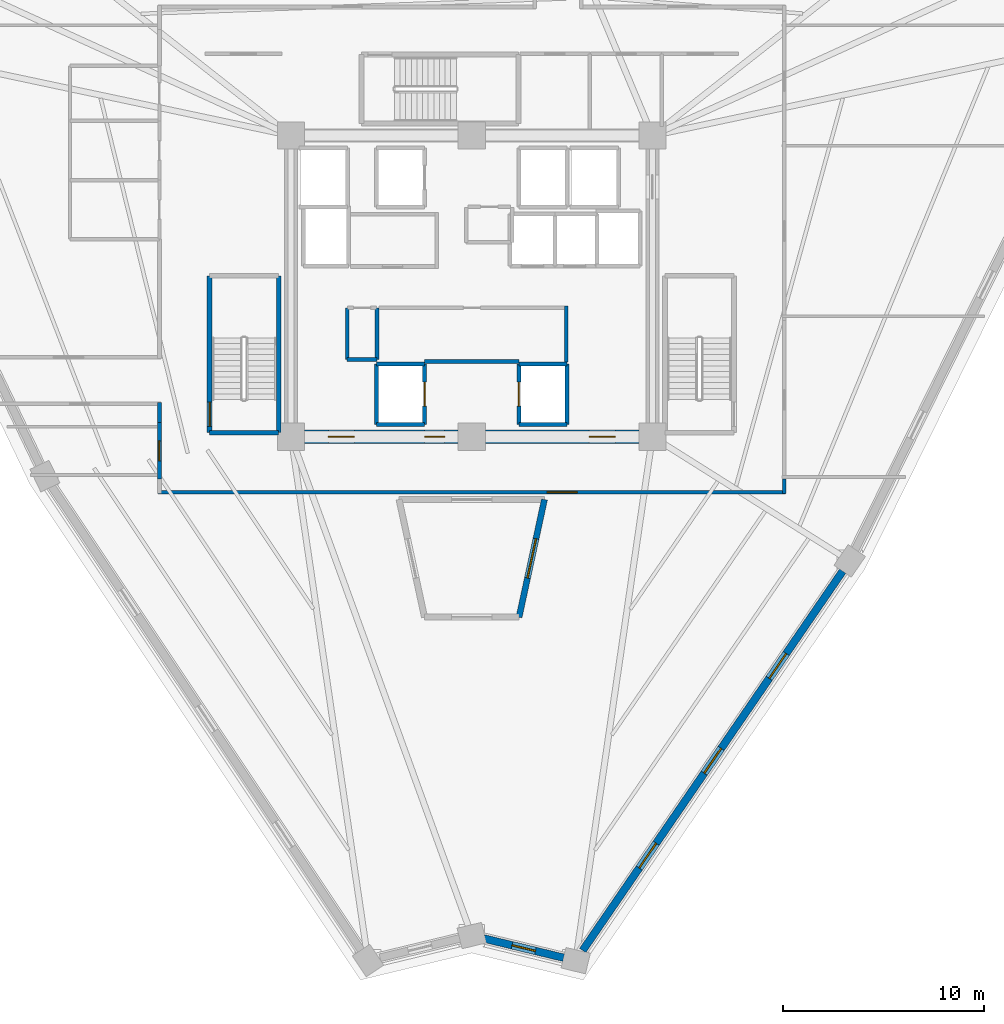
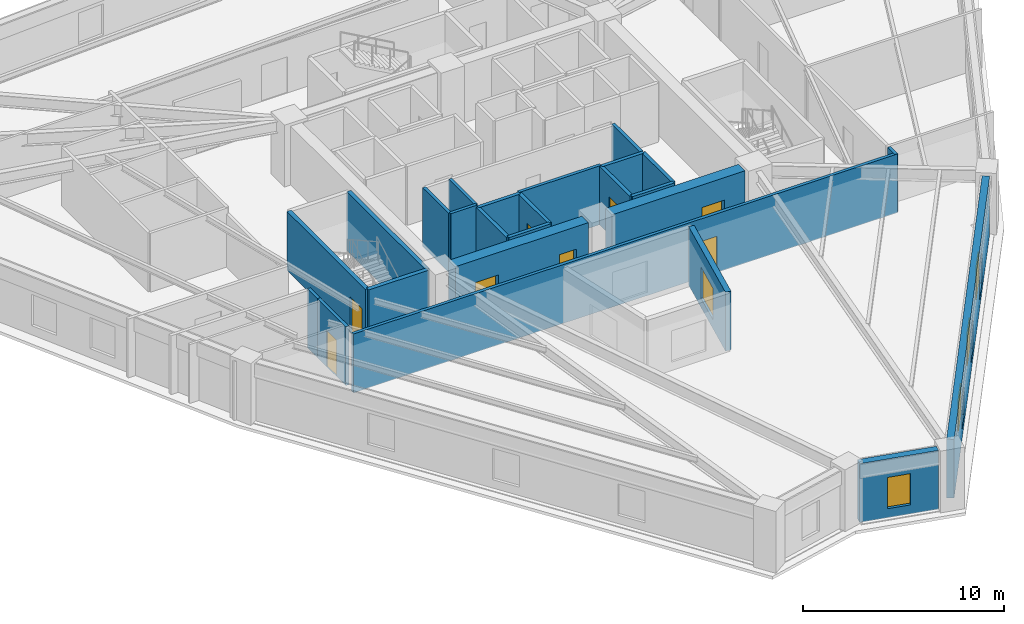
# One storey, part 3 of 9: 25 walls, 8 doors, 5 windows, 13 openings.
"""IFC4 building model written with IfcOpenShell, lengths in metres."""

from ifc_helpers import new_model, si_unit, direction, frame, frame_2d, origin, place, context, subcontext, project, spatial, rectangle, extrude, source, transform, mapped, material, layer, layer_set, type_object, element, fill, save


model = new_model("IFC4")

# Units and contexts
model_context = context("Model", 3, precision=1e-05, world=origin(), true_north=direction((0.0, 1.0)))
body_context = subcontext(model_context, "Body", "Model", "MODEL_VIEW")
ifc_project = project(units=[si_unit("LENGTHUNIT", "METRE"), si_unit("AREAUNIT", "SQUARE_METRE"), si_unit("VOLUMEUNIT", "CUBIC_METRE"), si_unit("PLANEANGLEUNIT", "RADIAN"), si_unit("MASSUNIT", "GRAM", prefix="KILO")], contexts=[model_context])

# Site, building, storey
site_placement = place(None, origin())
site = spatial("IfcSite", under=ifc_project, at=site_placement, CompositionType="ELEMENT")
building_placement = place(site_placement, origin())
building = spatial("IfcBuilding", under=site, at=building_placement, Name="Liaohun Quay Tower", CompositionType="ELEMENT")
storey_placement = place(building_placement, frame((0.0, 0.0, 258.75)))
storey = spatial("IfcBuildingStorey", under=building, at=storey_placement, Name="L67", CompositionType="ELEMENT", Elevation=258.75)

# Wall, opening, window
ifc_material_1 = material(Name="Concrete C50", Category="concrete")
ifc_layer_1 = layer(ifc_material_1, 0.300048828125, Name="Concrete C50", Category="concrete")
ifc_layer_set_1 = layer_set([ifc_layer_1], Name="Concrete C50")
wall_type_1 = type_object("IfcWallType", Name="WAL-ATR-300", PredefinedType="SOLIDWALL", material=ifc_layer_set_1)
wall_1_placement = place(storey_placement, frame((63.62109375, 43.3701171875, 0.0), z_axis=(0.0, 0.0, 1.0), x_axis=(-0.211271830319, -0.977427344468, 0.0)))
wall_1 = element("IfcWall", 1, at=wall_1_placement, inside=storey, type_object=wall_type_1, Name="L67 Atrium Fire Compartment Wall 3", PredefinedType="SOLIDWALL", context=body_context, shape_type="SweptSolid", body=[
    extrude(rectangle(XDim=5.99755859375, YDim=0.300048828125, at=frame_2d((2.998779296875, 0.0))), origin(), (0.0, 0.0, 1.0), 3.570068359375),
])
shared_shape_1 = source(origin(), body_context, "Body", "SweptSolid", [
    extrude(rectangle(XDim=2.0, YDim=1.89990234375, at=frame_2d((1.0, 0.949951171875))), frame((0.0, 0.159912109375, 0.0), z_axis=(0.0, -1.0, 0.0), x_axis=(1.0, 0.0, 0.0)), (0.0, 0.0, 1.0), 0.320068359375),
])
opening_1_placement = place(wall_1_placement, frame((1.9990234375, 0.0, 0.550048828125)))
opening_1 = element("IfcOpeningElement", 2, at=opening_1_placement, cuts=wall_1, Name="Opening W07", PredefinedType="OPENING", context=body_context, shape_type="MappedRepresentation", body=[
    mapped(shared_shape_1, transform((0.0, 0.0, 0.0), x_axis=(1.0, 0.0, 0.0), y_axis=(0.0, 1.0, 0.0), z_axis=(0.0, 0.0, 1.0), scale=1.0)),
])
ifc_material_2 = material(Name="Class A 180-min fire-resistant insulated glazing", Category="glass")
window_type_1 = type_object("IfcWindowType", Name="WIN-ATR-FIR", PartitioningType="DOUBLE_PANEL_VERTICAL", PredefinedType="WINDOW", material=ifc_material_2)
shared_shape_2 = source(origin(), body_context, "Body", "SweptSolid", [
    extrude(rectangle(XDim=2.0, YDim=1.89990234375, at=frame_2d((1.0, 0.949951171875))), frame((0.0, 0.030029296875, 0.0), z_axis=(0.0, -1.0, 0.0), x_axis=(1.0, 0.0, 0.0)), (0.0, 0.0, 1.0), 0.06005859375),
])
window_1_placement = place(opening_1_placement, origin())
window_1 = element("IfcWindow", 3, at=window_1_placement, inside=storey, type_object=window_type_1, Name="L67 Atrium Fire-Resistant Glazing W07-3", OverallHeight=1.89990234375, OverallWidth=2.0, PartitioningType="DOUBLE_PANEL_VERTICAL", PredefinedType="WINDOW", context=body_context, shape_type="MappedRepresentation", body=[
    mapped(shared_shape_2, transform((0.0, 0.0, 0.0), x_axis=(1.0, 0.0, 0.0), y_axis=(0.0, 1.0, 0.0), z_axis=(0.0, 0.0, 1.0), scale=1.0)),
])
fill(opening_1, window_1)

# Wall, opening, door
ifc_material_3 = material(Name="Concrete C55", Category="concrete")
ifc_layer_2 = layer(ifc_material_3, 0.64990234375, Name="Concrete C55", Category="concrete")
ifc_layer_set_2 = layer_set([ifc_layer_2], Name="Concrete C55")
wall_type_2 = type_object("IfcWallType", Name="WAL-COR-Z3", PredefinedType="SHEAR", material=ifc_layer_set_2)
wall_2_placement = place(storey_placement, frame((68.324951171875, 46.5, 0.0), z_axis=(0.0, 0.0, 1.0), x_axis=(-1.0, 0.0, 0.0)))
wall_2 = element("IfcWall", 4, at=wall_2_placement, inside=storey, type_object=wall_type_2, Name="L67 Central Core Shear Wall S-E", PredefinedType="SHEAR", context=body_context, shape_type="SweptSolid", body=[
    extrude(rectangle(XDim=7.64990234375, YDim=0.64990234375, at=frame_2d((3.824951171875, 0.0))), origin(), (0.0, 0.0, 1.0), 3.570068359375),
])
shared_shape_3 = source(origin(), body_context, "Body", "SweptSolid", [
    extrude(rectangle(XDim=1.300048828125, YDim=2.199951171875, at=frame_2d((0.64990234375, 1.10009765625))), frame((0.0, 0.3349609375, 0.0), z_axis=(0.0, -1.0, 0.0), x_axis=(1.0, 0.0, 0.0)), (0.0, 0.0, 1.0), 0.669921875),
])
opening_2_placement = place(wall_2_placement, frame((1.175048828125, 0.0, 0.0)))
opening_2 = element("IfcOpeningElement", 5, at=opening_2_placement, cuts=wall_2, Name="Opening FD1", PredefinedType="OPENING", context=body_context, shape_type="MappedRepresentation", body=[
    mapped(shared_shape_3, transform((0.0, 0.0, 0.0), x_axis=(1.0, 0.0, 0.0), y_axis=(0.0, 1.0, 0.0), z_axis=(0.0, 0.0, 1.0), scale=1.0)),
])
ifc_material_4 = material(Name="Galvanised steel smokeproof fire door", Category="steel")
door_type_1 = type_object("IfcDoorType", Name="DOR-FFL-1300", OperationType="NOTDEFINED", PredefinedType="DOOR", material=ifc_material_4)
shared_shape_4 = source(origin(), body_context, "Body", "SweptSolid", [
    extrude(rectangle(XDim=1.300048828125, YDim=2.199951171875, at=frame_2d((0.64990234375, 1.10009765625))), frame((0.0, 0.02490234375, 0.0), z_axis=(0.0, -1.0, 0.0), x_axis=(1.0, 0.0, 0.0)), (0.0, 0.0, 1.0), 0.050048828125),
])
door_1_placement = place(opening_2_placement, origin())
door_1 = element("IfcDoor", 6, at=door_1_placement, inside=storey, type_object=door_type_1, Name="L67 East Core Lift Lobby Smokeproof Door", OperationType="SINGLE_SWING_LEFT", OverallHeight=2.199951171875, OverallWidth=1.300048828125, PredefinedType="DOOR", context=body_context, shape_type="MappedRepresentation", body=[
    mapped(shared_shape_4, transform((0.0, 0.0, 0.0), x_axis=(1.0, 0.0, 0.0), y_axis=(0.0, 1.0, 0.0), z_axis=(0.0, 0.0, 1.0), scale=1.0)),
])
fill(opening_2, door_1)

# Wall, openings, doors
wall_3_placement = place(storey_placement, frame((59.324951171875, 46.5, 0.0), z_axis=(0.0, 0.0, 1.0), x_axis=(-1.0, 0.0, 0.0)))
wall_3 = element("IfcWall", 7, at=wall_3_placement, inside=storey, type_object=wall_type_2, Name="L67 Central Core Shear Wall S-W", PredefinedType="SHEAR", context=body_context, shape_type="SweptSolid", body=[
    extrude(rectangle(XDim=7.64990234375, YDim=0.64990234375, at=frame_2d((3.824951171875, 0.0))), origin(), (0.0, 0.0, 1.0), 3.570068359375),
])
opening_3_placement = place(wall_3_placement, frame((5.175048828125, 0.0, 0.0)))
opening_3 = element("IfcOpeningElement", 8, at=opening_3_placement, cuts=wall_3, Name="Opening FD1", PredefinedType="OPENING", context=body_context, shape_type="MappedRepresentation", body=[
    mapped(shared_shape_3, transform((0.0, 0.0, 0.0), x_axis=(1.0, 0.0, 0.0), y_axis=(0.0, 1.0, 0.0), z_axis=(0.0, 0.0, 1.0), scale=1.0)),
])
shared_shape_5 = source(origin(), body_context, "Body", "SweptSolid", [
    extrude(rectangle(XDim=1.0, YDim=2.199951171875, at=frame_2d((0.5, 1.10009765625))), frame((0.0, 0.3349609375, 0.0), z_axis=(0.0, -1.0, 0.0), x_axis=(1.0, 0.0, 0.0)), (0.0, 0.0, 1.0), 0.669921875),
])
opening_4_placement = place(wall_3_placement, frame((0.675048828125, 0.0, 0.0)))
opening_4 = element("IfcOpeningElement", 9, at=opening_4_placement, cuts=wall_3, Name="Opening FD2", PredefinedType="OPENING", context=body_context, shape_type="MappedRepresentation", body=[
    mapped(shared_shape_5, transform((0.0, 0.0, 0.0), x_axis=(1.0, 0.0, 0.0), y_axis=(0.0, 1.0, 0.0), z_axis=(0.0, 0.0, 1.0), scale=1.0)),
])
door_2_placement = place(opening_3_placement, origin())
door_2 = element("IfcDoor", 10, at=door_2_placement, inside=storey, type_object=door_type_1, Name="L67 West Core Lift Lobby Smokeproof Door", OperationType="SINGLE_SWING_RIGHT", OverallHeight=2.199951171875, OverallWidth=1.300048828125, PredefinedType="DOOR", context=body_context, shape_type="MappedRepresentation", body=[
    mapped(shared_shape_4, transform((0.0, 0.0, 0.0), x_axis=(1.0, 0.0, 0.0), y_axis=(0.0, 1.0, 0.0), z_axis=(0.0, 0.0, 1.0), scale=1.0)),
])
fill(opening_3, door_2)
ifc_material_5 = material(Name="Galvanised steel smokeproof lobby fire door", Category="steel")
door_type_2 = type_object("IfcDoorType", Name="DOR-FFL-1000", OperationType="NOTDEFINED", PredefinedType="DOOR", material=ifc_material_5)
shared_shape_6 = source(origin(), body_context, "Body", "SweptSolid", [
    extrude(rectangle(XDim=1.0, YDim=2.199951171875, at=frame_2d((0.5, 1.10009765625))), frame((0.0, 0.02490234375, 0.0), z_axis=(0.0, -1.0, 0.0), x_axis=(1.0, 0.0, 0.0)), (0.0, 0.0, 1.0), 0.050048828125),
])
door_3_placement = place(opening_4_placement, origin())
door_3 = element("IfcDoor", 11, at=door_3_placement, inside=storey, type_object=door_type_2, Name="L67 South Firefighting Lobby Smokeproof Door", OperationType="SINGLE_SWING_LEFT", OverallHeight=2.199951171875, OverallWidth=1.0, PredefinedType="DOOR", context=body_context, shape_type="MappedRepresentation", body=[
    mapped(shared_shape_6, transform((0.0, 0.0, 0.0), x_axis=(1.0, 0.0, 0.0), y_axis=(0.0, 1.0, 0.0), z_axis=(0.0, 0.0, 1.0), scale=1.0)),
])
fill(opening_4, door_3)

# Wall, opening, window
ifc_material_6 = material(Name="Precast concrete C50 insulated sandwich", Category="concrete")
ifc_layer_3 = layer(ifc_material_6, 0.3798828125, Name="Precast concrete C50 insulated sandwich", Category="concrete")
ifc_layer_set_3 = layer_set([ifc_layer_3], Name="Precast concrete C50 insulated sandwich")
wall_type_3 = type_object("IfcWallType", Name="WAL-EXT-Z34", PredefinedType="SOLIDWALL", material=ifc_layer_set_3)
wall_4_placement = place(storey_placement, frame((60.597900390625, 21.5048828125, 0.0), z_axis=(0.0, 0.0, 1.0), x_axis=(0.972030144739, -0.234856121314, 0.0)))
wall_4 = element("IfcWall", 12, at=wall_4_placement, inside=storey, type_object=wall_type_3, Name="L67 Brutalist Precast Pier Wall 01", PredefinedType="SOLIDWALL", context=body_context, shape_type="SweptSolid", body=[
    extrude(rectangle(XDim=4.095703125, YDim=0.3798828125, at=frame_2d((2.0478515625, 0.0))), origin(), (0.0, 0.0, 1.0), 3.570068359375),
])
shared_shape_7 = source(origin(), body_context, "Body", "SweptSolid", [
    extrude(rectangle(XDim=1.199951171875, YDim=1.89990234375, at=frame_2d((0.60009765625, 0.949951171875))), frame((0.0, 0.199951171875, 0.0), z_axis=(0.0, -1.0, 0.0), x_axis=(1.0, 0.0, 0.0)), (0.0, 0.0, 1.0), 0.39990234375),
])
opening_5_placement = place(wall_4_placement, frame((1.447998046875, 0.0, 0.550048828125)))
opening_5 = element("IfcOpeningElement", 13, at=opening_5_placement, cuts=wall_4, Name="Opening W05", PredefinedType="OPENING", context=body_context, shape_type="MappedRepresentation", body=[
    mapped(shared_shape_7, transform((0.0, 0.0, 0.0), x_axis=(1.0, 0.0, 0.0), y_axis=(0.0, 1.0, 0.0), z_axis=(0.0, 0.0, 1.0), scale=1.0)),
])
ifc_material_7 = material(Name="Triple Low-E corner notch glazing", Category="glass")
window_type_2 = type_object("IfcWindowType", Name="WIN-NOTCH", PartitioningType="SINGLE_PANEL", PredefinedType="WINDOW", material=ifc_material_7)
shared_shape_8 = source(origin(), body_context, "Body", "SweptSolid", [
    extrude(rectangle(XDim=1.199951171875, YDim=1.89990234375, at=frame_2d((0.60009765625, 0.949951171875))), frame((0.0, 0.030029296875, 0.0), z_axis=(0.0, -1.0, 0.0), x_axis=(1.0, 0.0, 0.0)), (0.0, 0.0, 1.0), 0.06005859375),
])
window_2_placement = place(opening_5_placement, origin())
window_2 = element("IfcWindow", 14, at=window_2_placement, inside=storey, type_object=window_type_2, Name="L67 Corner Notch Window W05-01", OverallHeight=1.89990234375, OverallWidth=1.199951171875, PartitioningType="SINGLE_PANEL", PredefinedType="WINDOW", context=body_context, shape_type="MappedRepresentation", body=[
    mapped(shared_shape_8, transform((0.0, 0.0, 0.0), x_axis=(1.0, 0.0, 0.0), y_axis=(0.0, 1.0, 0.0), z_axis=(0.0, 0.0, 1.0), scale=1.0)),
])
fill(opening_5, window_2)

# Wall, openings, windows
wall_5_placement = place(storey_placement, frame((65.52490234375, 20.906005859375, 0.0), z_axis=(0.0, 0.0, 1.0), x_axis=(0.565364357926, 0.824841283392, 0.0)))
wall_5 = element("IfcWall", 15, at=wall_5_placement, inside=storey, type_object=wall_type_3, Name="L67 Brutalist Precast Pier Wall 02", PredefinedType="SOLIDWALL", context=body_context, shape_type="SweptSolid", body=[
    extrude(rectangle(XDim=22.91455078125, YDim=0.3798828125, at=frame_2d((11.457275390625, 0.0))), origin(), (0.0, 0.0, 1.0), 3.570068359375),
])
shared_shape_9 = source(origin(), body_context, "Body", "SweptSolid", [
    extrude(rectangle(XDim=1.5, YDim=1.89990234375, at=frame_2d((0.75, 0.949951171875))), frame((0.0, 0.199951171875, 0.0), z_axis=(0.0, -1.0, 0.0), x_axis=(1.0, 0.0, 0.0)), (0.0, 0.0, 1.0), 0.39990234375),
])
opening_6_placement = place(wall_5_placement, frame((4.97900390625, 0.0, 0.550048828125)))
opening_6 = element("IfcOpeningElement", 16, at=opening_6_placement, cuts=wall_5, Name="Opening W03", PredefinedType="OPENING", context=body_context, shape_type="MappedRepresentation", body=[
    mapped(shared_shape_9, transform((0.0, 0.0, 0.0), x_axis=(1.0, 0.0, 0.0), y_axis=(0.0, 1.0, 0.0), z_axis=(0.0, 0.0, 1.0), scale=1.0)),
])
opening_7_placement = place(wall_5_placement, frame((10.70703125, 0.0, 0.550048828125)))
opening_7 = element("IfcOpeningElement", 17, at=opening_7_placement, cuts=wall_5, Name="Opening W03", PredefinedType="OPENING", context=body_context, shape_type="MappedRepresentation", body=[
    mapped(shared_shape_9, transform((0.0, 0.0, 0.0), x_axis=(1.0, 0.0, 0.0), y_axis=(0.0, 1.0, 0.0), z_axis=(0.0, 0.0, 1.0), scale=1.0)),
])
opening_8_placement = place(wall_5_placement, frame((16.43603515625, 0.0, 0.550048828125)))
opening_8 = element("IfcOpeningElement", 18, at=opening_8_placement, cuts=wall_5, Name="Opening W03", PredefinedType="OPENING", context=body_context, shape_type="MappedRepresentation", body=[
    mapped(shared_shape_9, transform((0.0, 0.0, 0.0), x_axis=(1.0, 0.0, 0.0), y_axis=(0.0, 1.0, 0.0), z_axis=(0.0, 0.0, 1.0), scale=1.0)),
])
ifc_material_8 = material(Name="Triple Low-E argon glazing in thermally broken aluminium", Category="aluminium")
window_type_3 = type_object("IfcWindowType", Name="WIN-PUN-Z3", PartitioningType="DOUBLE_PANEL_VERTICAL", PredefinedType="WINDOW", material=ifc_material_8)
shared_shape_10 = source(origin(), body_context, "Body", "SweptSolid", [
    extrude(rectangle(XDim=1.5, YDim=1.89990234375, at=frame_2d((0.75, 0.949951171875))), frame((0.0, 0.030029296875, 0.0), z_axis=(0.0, -1.0, 0.0), x_axis=(1.0, 0.0, 0.0)), (0.0, 0.0, 1.0), 0.06005859375),
])
window_3_placement = place(opening_6_placement, origin())
window_3 = element("IfcWindow", 19, at=window_3_placement, inside=storey, type_object=window_type_3, Name="L67 Recessed Cold-Climate Punched Window 02-1", OverallHeight=1.89990234375, OverallWidth=1.5, PartitioningType="DOUBLE_PANEL_VERTICAL", PredefinedType="WINDOW", context=body_context, shape_type="MappedRepresentation", body=[
    mapped(shared_shape_10, transform((0.0, 0.0, 0.0), x_axis=(1.0, 0.0, 0.0), y_axis=(0.0, 1.0, 0.0), z_axis=(0.0, 0.0, 1.0), scale=1.0)),
])
fill(opening_6, window_3)
window_4_placement = place(opening_7_placement, origin())
window_4 = element("IfcWindow", 20, at=window_4_placement, inside=storey, type_object=window_type_3, Name="L67 Recessed Cold-Climate Punched Window 02-2", OverallHeight=1.89990234375, OverallWidth=1.5, PartitioningType="DOUBLE_PANEL_VERTICAL", PredefinedType="WINDOW", context=body_context, shape_type="MappedRepresentation", body=[
    mapped(shared_shape_10, transform((0.0, 0.0, 0.0), x_axis=(1.0, 0.0, 0.0), y_axis=(0.0, 1.0, 0.0), z_axis=(0.0, 0.0, 1.0), scale=1.0)),
])
fill(opening_7, window_4)
window_5_placement = place(opening_8_placement, origin())
window_5 = element("IfcWindow", 21, at=window_5_placement, inside=storey, type_object=window_type_3, Name="L67 Recessed Cold-Climate Punched Window 02-3", OverallHeight=1.89990234375, OverallWidth=1.5, PartitioningType="DOUBLE_PANEL_VERTICAL", PredefinedType="WINDOW", context=body_context, shape_type="MappedRepresentation", body=[
    mapped(shared_shape_10, transform((0.0, 0.0, 0.0), x_axis=(1.0, 0.0, 0.0), y_axis=(0.0, 1.0, 0.0), z_axis=(0.0, 0.0, 1.0), scale=1.0)),
])
fill(opening_8, window_5)

# Wall, opening, door
ifc_material_9 = material(Name="Autoclaved aerated concrete blockwork", Category="masonry")
ifc_layer_4 = layer(ifc_material_9, 0.179931640625, Name="Autoclaved aerated concrete blockwork", Category="masonry")
ifc_layer_set_4 = layer_set([ifc_layer_4], Name="Autoclaved aerated concrete blockwork")
wall_type_4 = type_object("IfcWallType", Name="WAL-PRT-COR", PredefinedType="PARTITIONING", material=ifc_layer_set_4)
wall_6_placement = place(storey_placement, frame((44.43994140625, 44.385009765625, 0.0), z_axis=(0.0, 0.0, 1.0), x_axis=(0.0, 1.0, 0.0)))
wall_6 = element("IfcWall", 22, at=wall_6_placement, inside=storey, type_object=wall_type_4, Name="L67 Interior Partition Wall 018", PredefinedType="PARTITIONING", context=body_context, shape_type="SweptSolid", body=[
    extrude(rectangle(XDim=2.830078125, YDim=0.179931640625, at=frame_2d((1.4150390625, 0.0))), origin(), (0.0, 0.0, 1.0), 3.570068359375),
])
shared_shape_11 = source(origin(), body_context, "Body", "SweptSolid", [
    extrude(rectangle(XDim=1.0, YDim=2.199951171875, at=frame_2d((0.5, 1.10009765625))), frame((0.0, 0.099853515625, 0.0), z_axis=(0.0, -1.0, 0.0), x_axis=(1.0, 0.0, 0.0)), (0.0, 0.0, 1.0), 0.199951171875),
])
opening_9_placement = place(wall_6_placement, frame((0.9150390625, 0.0, 0.0)))
opening_9 = element("IfcOpeningElement", 23, at=opening_9_placement, cuts=wall_6, Name="Opening OD1", PredefinedType="OPENING", context=body_context, shape_type="MappedRepresentation", body=[
    mapped(shared_shape_11, transform((0.0, 0.0, 0.0), x_axis=(1.0, 0.0, 0.0), y_axis=(0.0, 1.0, 0.0), z_axis=(0.0, 0.0, 1.0), scale=1.0)),
])
ifc_material_10 = material(Name="Solid-core oak veneer timber leaf in steel frame", Category="steel")
door_type_3 = type_object("IfcDoorType", Name="DOR-OFF-1000", OperationType="NOTDEFINED", PredefinedType="DOOR", material=ifc_material_10)
door_4_placement = place(opening_9_placement, origin())
door_4 = element("IfcDoor", 24, at=door_4_placement, inside=storey, type_object=door_type_3, Name="L67 Digital Prototyping Laboratory 07 Door", OperationType="SINGLE_SWING_RIGHT", OverallHeight=2.199951171875, OverallWidth=1.0, PredefinedType="DOOR", context=body_context, shape_type="MappedRepresentation", body=[
    mapped(shared_shape_6, transform((0.0, 0.0, 0.0), x_axis=(1.0, 0.0, 0.0), y_axis=(0.0, 1.0, 0.0), z_axis=(0.0, 0.0, 1.0), scale=1.0)),
])
fill(opening_9, door_4)

wall_7_placement = place(storey_placement, frame((75.6298828125, 43.739990234375, 0.0), z_axis=(0.0, 0.0, 1.0), x_axis=(-1.0, 0.0, 0.0)))
wall_7 = element("IfcWall", 25, at=wall_7_placement, inside=storey, type_object=wall_type_4, Name="L67 Interior Partition Wall 019", PredefinedType="PARTITIONING", context=body_context, shape_type="SweptSolid", body=[
    extrude(rectangle(XDim=31.259765625, YDim=0.179931640625, at=frame_2d((15.6298828125, 0.0))), origin(), (0.0, 0.0, 1.0), 3.570068359375),
])
shared_shape_12 = source(origin(), body_context, "Body", "SweptSolid", [
    extrude(rectangle(XDim=1.5, YDim=2.199951171875, at=frame_2d((0.75, 1.10009765625))), frame((0.0, 0.099853515625, 0.0), z_axis=(0.0, -1.0, 0.0), x_axis=(1.0, 0.0, 0.0)), (0.0, 0.0, 1.0), 0.199951171875),
])
opening_10_placement = place(wall_7_placement, frame((10.3798828125, 0.0, 0.0)))
opening_10 = element("IfcOpeningElement", 26, at=opening_10_placement, cuts=wall_7, Name="Opening OD2", PredefinedType="OPENING", context=body_context, shape_type="MappedRepresentation", body=[
    mapped(shared_shape_12, transform((0.0, 0.0, 0.0), x_axis=(1.0, 0.0, 0.0), y_axis=(0.0, 1.0, 0.0), z_axis=(0.0, 0.0, 1.0), scale=1.0)),
])
ifc_material_11 = material(Name="Acoustic oak veneer double door")
door_type_4 = type_object("IfcDoorType", Name="DOR-OFF-1500", OperationType="DOUBLE_DOOR_SINGLE_SWING", PredefinedType="DOOR", material=ifc_material_11)
shared_shape_13 = source(origin(), body_context, "Body", "SweptSolid", [
    extrude(rectangle(XDim=1.5, YDim=2.199951171875, at=frame_2d((0.75, 1.10009765625))), frame((0.0, 0.02490234375, 0.0), z_axis=(0.0, -1.0, 0.0), x_axis=(1.0, 0.0, 0.0)), (0.0, 0.0, 1.0), 0.050048828125),
])
door_5_placement = place(opening_10_placement, origin())
door_5 = element("IfcDoor", 27, at=door_5_placement, inside=storey, type_object=door_type_4, Name="L67 Client Collaboration Lounge 08 Door", OperationType="DOUBLE_DOOR_SINGLE_SWING", OverallHeight=2.199951171875, OverallWidth=1.5, PredefinedType="DOOR", context=body_context, shape_type="MappedRepresentation", body=[
    mapped(shared_shape_13, transform((0.0, 0.0, 0.0), x_axis=(1.0, 0.0, 0.0), y_axis=(0.0, 1.0, 0.0), z_axis=(0.0, 0.0, 1.0), scale=1.0)),
])
fill(opening_10, door_5)

# Walls
wall_8_placement = place(storey_placement, frame((53.7900390625, 50.35009765625, 0.0), z_axis=(0.0, 0.0, 1.0), x_axis=(0.0, 1.0, 0.0)))
element("IfcWall", 28, at=wall_8_placement, inside=storey, type_object=wall_type_4, Name="L67 Interior Partition Wall 024", PredefinedType="PARTITIONING", context=body_context, shape_type="SweptSolid", body=[
    extrude(rectangle(XDim=2.56982421875, YDim=0.179931640625, at=frame_2d((1.284912109375, 0.0))), origin(), (0.0, 0.0, 1.0), 3.570068359375),
])
wall_9_placement = place(storey_placement, frame((53.7900390625, 50.35009765625, 0.0), z_axis=(0.0, 0.0, 1.0), x_axis=(1.0, 0.0, 0.0)))
element("IfcWall", 29, at=wall_9_placement, inside=storey, type_object=wall_type_4, Name="L67 Interior Partition Wall 025", PredefinedType="PARTITIONING", context=body_context, shape_type="SweptSolid", body=[
    extrude(rectangle(XDim=1.489990234375, YDim=0.179931640625, at=frame_2d((0.7451171875, 0.0))), origin(), (0.0, 0.0, 1.0), 3.570068359375),
])
wall_10_placement = place(storey_placement, frame((55.280029296875, 50.35009765625, 0.0), z_axis=(0.0, 0.0, 1.0), x_axis=(0.0, 1.0, 0.0)))
element("IfcWall", 30, at=wall_10_placement, inside=storey, type_object=wall_type_4, Name="L67 Interior Partition Wall 026", PredefinedType="PARTITIONING", context=body_context, shape_type="SweptSolid", body=[
    extrude(rectangle(XDim=2.56982421875, YDim=0.179931640625, at=frame_2d((1.284912109375, 0.0))), origin(), (0.0, 0.0, 1.0), 3.570068359375),
])
wall_11_placement = place(storey_placement, frame((44.43994140625, 47.215087890625, 0.0), z_axis=(0.0, 0.0, 1.0), x_axis=(0.0, 1.0, 0.0)))
element("IfcWall", 31, at=wall_11_placement, inside=storey, type_object=wall_type_4, Name="L67 Interior Partition Wall 040", PredefinedType="PARTITIONING", context=body_context, shape_type="SweptSolid", body=[
    extrude(rectangle(XDim=0.994873046875, YDim=0.179931640625, at=frame_2d((0.49755859375, 0.0))), origin(), (0.0, 0.0, 1.0), 3.570068359375),
])
wall_12_placement = place(storey_placement, frame((75.56005859375, 44.385009765625, 0.0), z_axis=(0.0, 0.0, 1.0), x_axis=(0.0, -1.0, 0.0)))
element("IfcWall", 32, at=wall_12_placement, inside=storey, type_object=wall_type_4, Name="L67 Interior Partition Wall 042", PredefinedType="PARTITIONING", context=body_context, shape_type="SweptSolid", body=[
    extrude(rectangle(XDim=0.715087890625, YDim=0.179931640625, at=frame_2d((0.357421875, 0.0))), origin(), (0.0, 0.0, 1.0), 3.570068359375),
])
wall_13_placement = place(storey_placement, frame((64.699951171875, 50.219970703125, 0.0), z_axis=(0.0, 0.0, 1.0), x_axis=(0.0, 1.0, 0.0)))
element("IfcWall", 33, at=wall_13_placement, inside=storey, type_object=wall_type_4, Name="L67 Interior Partition Wall 050", PredefinedType="PARTITIONING", context=body_context, shape_type="SweptSolid", body=[
    extrude(rectangle(XDim=2.7900390625, YDim=0.179931640625, at=frame_2d((1.39501953125, 0.0))), origin(), (0.0, 0.0, 1.0), 3.570068359375),
])
wall_14_placement = place(storey_placement, frame((57.64990234375, 50.25, 0.0), z_axis=(0.0, 0.0, 1.0), x_axis=(1.0, 0.0, 0.0)))
element("IfcWall", 34, at=wall_14_placement, inside=storey, type_object=wall_type_4, Name="L67 Interior Partition Wall 051", PredefinedType="PARTITIONING", context=body_context, shape_type="SweptSolid", body=[
    extrude(rectangle(XDim=4.7001953125, YDim=0.179931640625, at=frame_2d((2.35009765625, 0.0))), origin(), (0.0, 0.0, 1.0), 3.570068359375),
])
ifc_layer_5 = layer(ifc_material_1, 0.239990234375, Name="Concrete C50", Category="concrete")
ifc_layer_set_5 = layer_set([ifc_layer_5], Name="Concrete C50")
wall_type_5 = type_object("IfcWallType", Name="WAL-SHF-200", PredefinedType="SOLIDWALL", material=ifc_layer_set_5)
wall_15_placement = place(storey_placement, frame((46.93994140625, 46.699951171875, 0.0), z_axis=(0.0, 0.0, 1.0), x_axis=(1.0, 0.0, 0.0)))
element("IfcWall", 35, at=wall_15_placement, inside=storey, type_object=wall_type_5, Name="L67 Stairwell ST-1 Structural Core Wall S", PredefinedType="SOLIDWALL", context=body_context, shape_type="SweptSolid", body=[
    extrude(rectangle(XDim=3.43994140625, YDim=0.239990234375, at=frame_2d((1.719970703125, 0.0))), origin(), (0.0, 0.0, 1.0), 3.570068359375),
])
wall_16_placement = place(storey_placement, frame((50.3798828125, 46.699951171875, 0.0), z_axis=(0.0, 0.0, 1.0), x_axis=(0.0, 1.0, 0.0)))
element("IfcWall", 36, at=wall_16_placement, inside=storey, type_object=wall_type_5, Name="L67 Stairwell ST-1 Structural Core Wall E", PredefinedType="SOLIDWALL", context=body_context, shape_type="SweptSolid", body=[
    extrude(rectangle(XDim=7.820068359375, YDim=0.239990234375, at=frame_2d((3.91015625, 0.0))), origin(), (0.0, 0.0, 1.0), 3.570068359375),
])

# Wall, opening, door
wall_17_placement = place(storey_placement, frame((46.93994140625, 54.52001953125, 0.0), z_axis=(0.0, 0.0, 1.0), x_axis=(0.0, -1.0, 0.0)))
wall_17 = element("IfcWall", 37, at=wall_17_placement, inside=storey, type_object=wall_type_5, Name="L67 Stairwell ST-1 Structural Core Wall W", PredefinedType="SOLIDWALL", context=body_context, shape_type="SweptSolid", body=[
    extrude(rectangle(XDim=7.820068359375, YDim=0.239990234375, at=frame_2d((3.91015625, 0.0))), origin(), (0.0, 0.0, 1.0), 3.570068359375),
])
shared_shape_14 = source(origin(), body_context, "Body", "SweptSolid", [
    extrude(rectangle(XDim=1.199951171875, YDim=2.199951171875, at=frame_2d((0.60009765625, 1.10009765625))), frame((0.0, 0.1298828125, 0.0), z_axis=(0.0, -1.0, 0.0), x_axis=(1.0, 0.0, 0.0)), (0.0, 0.0, 1.0), 0.260009765625),
])
opening_11_placement = place(wall_17_placement, frame((6.300048828125, 0.0, 0.0)))
opening_11 = element("IfcOpeningElement", 38, at=opening_11_placement, cuts=wall_17, Name="Opening SD1", PredefinedType="OPENING", context=body_context, shape_type="MappedRepresentation", body=[
    mapped(shared_shape_14, transform((0.0, 0.0, 0.0), x_axis=(1.0, 0.0, 0.0), y_axis=(0.0, 1.0, 0.0), z_axis=(0.0, 0.0, 1.0), scale=1.0)),
])
ifc_material_12 = material(Name="Galvanised steel fire door", Category="steel")
door_type_5 = type_object("IfcDoorType", Name="DOR-STR-1200", OperationType="NOTDEFINED", PredefinedType="DOOR", material=ifc_material_12)
shared_shape_15 = source(origin(), body_context, "Body", "SweptSolid", [
    extrude(rectangle(XDim=1.199951171875, YDim=2.199951171875, at=frame_2d((0.60009765625, 1.10009765625))), frame((0.0, 0.02490234375, 0.0), z_axis=(0.0, -1.0, 0.0), x_axis=(1.0, 0.0, 0.0)), (0.0, 0.0, 1.0), 0.050048828125),
])
door_6_placement = place(opening_11_placement, origin())
door_6 = element("IfcDoor", 39, at=door_6_placement, inside=storey, type_object=door_type_5, Name="L67 Protected Stair ST-1 Fire Door", OperationType="SINGLE_SWING_LEFT", OverallHeight=2.199951171875, OverallWidth=1.199951171875, PredefinedType="DOOR", context=body_context, shape_type="MappedRepresentation", body=[
    mapped(shared_shape_15, transform((0.0, 0.0, 0.0), x_axis=(1.0, 0.0, 0.0), y_axis=(0.0, 1.0, 0.0), z_axis=(0.0, 0.0, 1.0), scale=1.0)),
])
fill(opening_11, door_6)

# Wall
wall_18_placement = place(storey_placement, frame((55.25, 47.1201171875, 0.0), z_axis=(0.0, 0.0, 1.0), x_axis=(1.0, 0.0, 0.0)))
element("IfcWall", 40, at=wall_18_placement, inside=storey, type_object=wall_type_5, Name="L67 Lift FF-01 Hoistway Wall S", PredefinedType="SOLIDWALL", context=body_context, shape_type="SweptSolid", body=[
    extrude(rectangle(XDim=2.39990234375, YDim=0.199951171875, at=frame_2d((1.199951171875, 0.0))), origin(), (0.0, 0.0, 1.0), 3.570068359375),
])

# Wall, opening, door
wall_19_placement = place(storey_placement, frame((57.64990234375, 47.1201171875, 0.0), z_axis=(0.0, 0.0, 1.0), x_axis=(0.0, 1.0, 0.0)))
wall_19 = element("IfcWall", 41, at=wall_19_placement, inside=storey, type_object=wall_type_5, Name="L67 Lift FF-01 Hoistway Wall E", PredefinedType="SOLIDWALL", context=body_context, shape_type="SweptSolid", body=[
    extrude(rectangle(XDim=3.0, YDim=0.199951171875, at=frame_2d((1.5, 0.0))), origin(), (0.0, 0.0, 1.0), 3.570068359375),
])
shared_shape_16 = source(origin(), body_context, "Body", "SweptSolid", [
    extrude(rectangle(XDim=1.199951171875, YDim=2.300048828125, at=frame_2d((0.60009765625, 1.14990234375))), frame((0.0, 0.10986328125, 0.0), z_axis=(0.0, -1.0, 0.0), x_axis=(1.0, 0.0, 0.0)), (0.0, 0.0, 1.0), 0.219970703125),
])
opening_12_placement = place(wall_19_placement, frame((0.89990234375, 0.0, 0.0)))
opening_12 = element("IfcOpeningElement", 42, at=opening_12_placement, cuts=wall_19, Name="Opening LD2", PredefinedType="OPENING", context=body_context, shape_type="MappedRepresentation", body=[
    mapped(shared_shape_16, transform((0.0, 0.0, 0.0), x_axis=(1.0, 0.0, 0.0), y_axis=(0.0, 1.0, 0.0), z_axis=(0.0, 0.0, 1.0), scale=1.0)),
])
ifc_material_13 = material(Name="Brushed stainless steel stretcher landing door", Category="steel")
door_type_6 = type_object("IfcDoorType", Name="DOR-LFT-1200", OperationType="SLIDING_TO_LEFT", PredefinedType="DOOR", material=ifc_material_13)
shared_shape_17 = source(origin(), body_context, "Body", "SweptSolid", [
    extrude(rectangle(XDim=1.199951171875, YDim=2.300048828125, at=frame_2d((0.60009765625, 1.14990234375))), frame((0.0, 0.02490234375, 0.0), z_axis=(0.0, -1.0, 0.0), x_axis=(1.0, 0.0, 0.0)), (0.0, 0.0, 1.0), 0.050048828125),
])
door_7_placement = place(opening_12_placement, origin())
door_7 = element("IfcDoor", 43, at=door_7_placement, inside=storey, type_object=door_type_6, Name="L67 Lift FF-01 Sliding Landing Door", OperationType="SLIDING_TO_LEFT", OverallHeight=2.300048828125, OverallWidth=1.199951171875, PredefinedType="DOOR", context=body_context, shape_type="MappedRepresentation", body=[
    mapped(shared_shape_17, transform((0.0, 0.0, 0.0), x_axis=(1.0, 0.0, 0.0), y_axis=(0.0, 1.0, 0.0), z_axis=(0.0, 0.0, 1.0), scale=1.0)),
])
fill(opening_12, door_7)

# Walls
wall_20_placement = place(storey_placement, frame((57.64990234375, 50.1201171875, 0.0), z_axis=(0.0, 0.0, 1.0), x_axis=(-1.0, 0.0, 0.0)))
element("IfcWall", 44, at=wall_20_placement, inside=storey, type_object=wall_type_5, Name="L67 Lift FF-01 Hoistway Wall N", PredefinedType="SOLIDWALL", context=body_context, shape_type="SweptSolid", body=[
    extrude(rectangle(XDim=2.39990234375, YDim=0.199951171875, at=frame_2d((1.199951171875, 0.0))), origin(), (0.0, 0.0, 1.0), 3.570068359375),
])
wall_21_placement = place(storey_placement, frame((55.25, 50.1201171875, 0.0), z_axis=(0.0, 0.0, 1.0), x_axis=(0.0, -1.0, 0.0)))
element("IfcWall", 45, at=wall_21_placement, inside=storey, type_object=wall_type_5, Name="L67 Lift FF-01 Hoistway Wall W", PredefinedType="SOLIDWALL", context=body_context, shape_type="SweptSolid", body=[
    extrude(rectangle(XDim=3.0, YDim=0.199951171875, at=frame_2d((1.5, 0.0))), origin(), (0.0, 0.0, 1.0), 3.570068359375),
])
wall_22_placement = place(storey_placement, frame((62.35009765625, 47.1201171875, 0.0), z_axis=(0.0, 0.0, 1.0), x_axis=(1.0, 0.0, 0.0)))
element("IfcWall", 46, at=wall_22_placement, inside=storey, type_object=wall_type_5, Name="L67 Lift FF-02 Hoistway Wall S", PredefinedType="SOLIDWALL", context=body_context, shape_type="SweptSolid", body=[
    extrude(rectangle(XDim=2.39990234375, YDim=0.199951171875, at=frame_2d((1.199951171875, 0.0))), origin(), (0.0, 0.0, 1.0), 3.570068359375),
])
wall_23_placement = place(storey_placement, frame((64.75, 47.1201171875, 0.0), z_axis=(0.0, 0.0, 1.0), x_axis=(0.0, 1.0, 0.0)))
element("IfcWall", 47, at=wall_23_placement, inside=storey, type_object=wall_type_5, Name="L67 Lift FF-02 Hoistway Wall E", PredefinedType="SOLIDWALL", context=body_context, shape_type="SweptSolid", body=[
    extrude(rectangle(XDim=3.0, YDim=0.199951171875, at=frame_2d((1.5, 0.0))), origin(), (0.0, 0.0, 1.0), 3.570068359375),
])
wall_24_placement = place(storey_placement, frame((64.75, 50.1201171875, 0.0), z_axis=(0.0, 0.0, 1.0), x_axis=(-1.0, 0.0, 0.0)))
element("IfcWall", 48, at=wall_24_placement, inside=storey, type_object=wall_type_5, Name="L67 Lift FF-02 Hoistway Wall N", PredefinedType="SOLIDWALL", context=body_context, shape_type="SweptSolid", body=[
    extrude(rectangle(XDim=2.39990234375, YDim=0.199951171875, at=frame_2d((1.199951171875, 0.0))), origin(), (0.0, 0.0, 1.0), 3.570068359375),
])

# Wall, opening, door
wall_25_placement = place(storey_placement, frame((62.35009765625, 50.1201171875, 0.0), z_axis=(0.0, 0.0, 1.0), x_axis=(0.0, -1.0, 0.0)))
wall_25 = element("IfcWall", 49, at=wall_25_placement, inside=storey, type_object=wall_type_5, Name="L67 Lift FF-02 Hoistway Wall W", PredefinedType="SOLIDWALL", context=body_context, shape_type="SweptSolid", body=[
    extrude(rectangle(XDim=3.0, YDim=0.199951171875, at=frame_2d((1.5, 0.0))), origin(), (0.0, 0.0, 1.0), 3.570068359375),
])
opening_13_placement = place(wall_25_placement, frame((0.89990234375, 0.0, 0.0)))
opening_13 = element("IfcOpeningElement", 50, at=opening_13_placement, cuts=wall_25, Name="Opening LD2", PredefinedType="OPENING", context=body_context, shape_type="MappedRepresentation", body=[
    mapped(shared_shape_16, transform((0.0, 0.0, 0.0), x_axis=(1.0, 0.0, 0.0), y_axis=(0.0, 1.0, 0.0), z_axis=(0.0, 0.0, 1.0), scale=1.0)),
])
door_8_placement = place(opening_13_placement, origin())
door_8 = element("IfcDoor", 51, at=door_8_placement, inside=storey, type_object=door_type_6, Name="L67 Lift FF-02 Sliding Landing Door", OperationType="SLIDING_TO_LEFT", OverallHeight=2.300048828125, OverallWidth=1.199951171875, PredefinedType="DOOR", context=body_context, shape_type="MappedRepresentation", body=[
    mapped(shared_shape_17, transform((0.0, 0.0, 0.0), x_axis=(1.0, 0.0, 0.0), y_axis=(0.0, 1.0, 0.0), z_axis=(0.0, 0.0, 1.0), scale=1.0)),
])
fill(opening_13, door_8)

save(model, "model.ifc")
